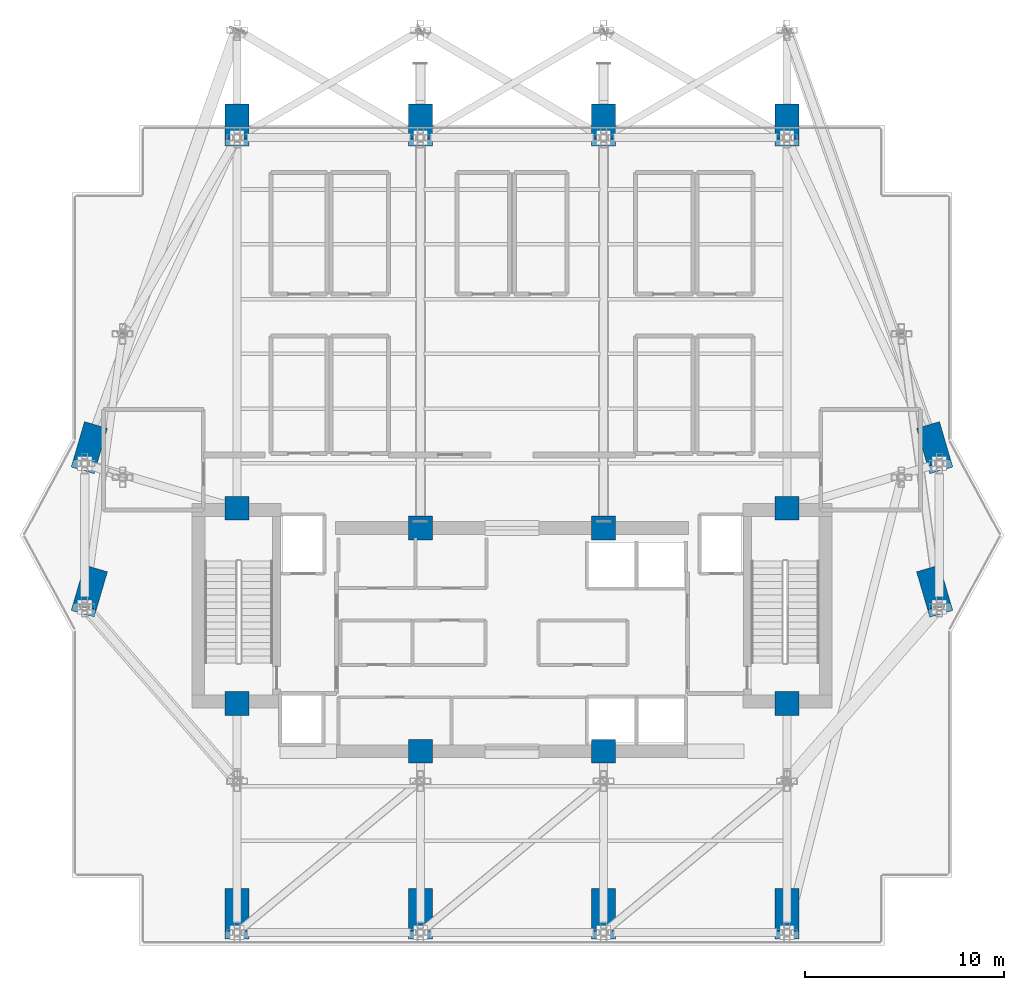
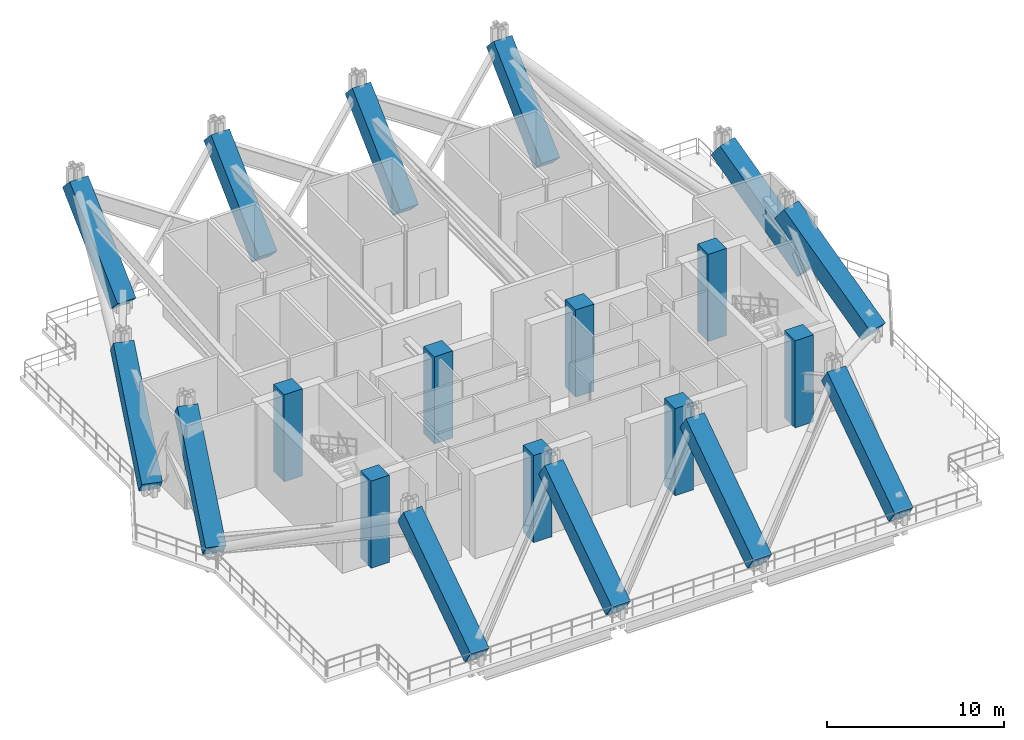
# One storey, part 1 of 18: 20 columns.
"""IFC4 building model written with IfcOpenShell, lengths in metres."""

from ifc_helpers import new_model, si_unit, direction, frame, origin, origin_2d, place, context, subcontext, project, spatial, rectangle, extrude, material, material_profile, profile_set, type_object, element, save


model = new_model("IFC4")

# Units and contexts
model_context = context("Model", 3, precision=1e-05, world=origin(), true_north=direction((0.0, 1.0)))
body_context = subcontext(model_context, "Body", "Model", "MODEL_VIEW")
ifc_project = project(units=[si_unit("LENGTHUNIT", "METRE"), si_unit("AREAUNIT", "SQUARE_METRE"), si_unit("VOLUMEUNIT", "CUBIC_METRE"), si_unit("PLANEANGLEUNIT", "RADIAN"), si_unit("MASSUNIT", "GRAM", prefix="KILO")], contexts=[model_context])

# Site, building, storey
site_placement = place(None, origin())
site = spatial("IfcSite", under=ifc_project, at=site_placement, CompositionType="ELEMENT")
building_placement = place(site_placement, origin())
building = spatial("IfcBuilding", under=site, at=building_placement, Name="Zuhayl Quay Hotel", CompositionType="ELEMENT")
storey_placement = place(building_placement, frame((0.0, 0.0, 233.64990234375)))
storey = spatial("IfcBuildingStorey", under=building, at=storey_placement, Name="L59", CompositionType="ELEMENT", Elevation=233.64990234375)

# Columns
ifc_material = material(Name="Concrete C60/75", Category="concrete")
ifc_material_profile_1 = material_profile(ifc_material, rectangle(XDim=1.199951171875, YDim=1.199951171875, at=origin_2d()), Name="RC1200X1200")
ifc_profile_set_1 = profile_set([ifc_material_profile_1], Name="Concrete C60/75")
column_type_1 = type_object("IfcColumnType", Name="CL_CC2_1200", PredefinedType="COLUMN", material=ifc_profile_set_1)
for number, where, z_axis, x_axis, name in (
    (1, (-13.800048828125, 14.35009765625, 0.0), (0.0, 0.0, 1.0), (1.0, 0.0, 0.0), "L59 Core Column CC_NW"),
    (2, (-4.60009765625, 13.35009765625, 0.0), (0.0, 0.0, 1.0), (1.0, 0.0, 0.0), "L59 Core Column CC_CNW"),
    (3, (4.60009765625, 13.35009765625, 0.0), (0.0, 0.0, 1.0), (1.0, 0.0, 0.0), "L59 Core Column CC_CNE"),
    (4, (13.800048828125, 14.35009765625, 0.0), (0.0, 0.0, 1.0), (1.0, 0.0, 0.0), "L59 Core Column CC_NE"),
    (5, (-13.800048828125, 4.550048828125, 0.0), (0.0, 0.0, 1.0), (1.0, 0.0, 0.0), "L59 Core Column CC_SW"),
    (6, (-4.60009765625, 2.14990234375, 0.0), (0.0, 0.0, 1.0), (1.0, 0.0, 0.0), "L59 Core Column CC_CSW"),
    (7, (4.60009765625, 2.14990234375, 0.0), (0.0, 0.0, 1.0), (1.0, 0.0, 0.0), "L59 Core Column CC_CSE"),
    (8, (13.800048828125, 4.550048828125, 0.0), (0.0, 0.0, 1.0), (1.0, 0.0, 0.0), "L59 Core Column CC_SE"),
):
    element("IfcColumn", number, at=place(storey_placement, frame(where, z_axis=z_axis, x_axis=x_axis)), inside=storey, type_object=column_type_1, Name=name, PredefinedType="COLUMN", context=body_context, shape_type="SweptSolid", body=[
        extrude(rectangle(XDim=1.199951171875, YDim=1.199951171875, at=origin_2d()), origin(), (0.0, 0.0, 1.0), 6.0),
    ])
ifc_material_profile_2 = material_profile(ifc_material, rectangle(XDim=1.199951171875, YDim=1.199951171875, at=origin_2d()), Name="RC1200X1200")
ifc_profile_set_2 = profile_set([ifc_material_profile_2], Name="Concrete C60/75")
column_type_2 = type_object("IfcColumnType", Name="CL_MC3_1200", PredefinedType="COLUMN", material=ifc_profile_set_2)
for number, where, z_axis, x_axis, name in (
    (9, (-13.800048828125, -6.949951171875, 0.43017578125), (0.0, 0.828343340158, 0.560220769711), (-1.0, 0.0, 0.0), "L59 Raked Mega-Column MC_S1"),
    (10, (-4.60009765625, -6.949951171875, 0.43017578125), (0.0, 0.828343340158, 0.560220769711), (-1.0, 0.0, 0.0), "L59 Raked Mega-Column MC_S2"),
    (11, (4.60009765625, -6.949951171875, 0.43017578125), (0.0, 0.828343340158, 0.560220769711), (-1.0, 0.0, 0.0), "L59 Raked Mega-Column MC_S3"),
    (12, (13.800048828125, -6.949951171875, 0.43017578125), (0.0, 0.828343340158, 0.560220769711), (-1.0, 0.0, 0.0), "L59 Raked Mega-Column MC_S4"),
):
    element("IfcColumn", number, at=place(storey_placement, frame(where, z_axis=z_axis, x_axis=x_axis)), inside=storey, type_object=column_type_2, Name=name, PredefinedType="COLUMN", context=body_context, shape_type="SweptSolid", body=[
        extrude(rectangle(XDim=1.199951171875, YDim=1.199951171875, at=origin_2d()), origin(), (0.0, 0.0, 1.0), 9.1748046875),
    ])
for number, where, z_axis, x_axis, name in (
    (13, (-13.800048828125, 32.949951171875, 0.43017578125), (0.0, 0.724345832231, 0.689436810252), (-1.0, 0.0, 0.0), "L59 Raked Mega-Column MC_N1"),
    (14, (-4.60009765625, 32.949951171875, 0.43017578125), (0.0, 0.724345832231, 0.689436810252), (-1.0, 0.0, 0.0), "L59 Raked Mega-Column MC_N2"),
    (15, (4.60009765625, 32.949951171875, 0.43017578125), (0.0, 0.724345832231, 0.689436810252), (-1.0, 0.0, 0.0), "L59 Raked Mega-Column MC_N3"),
    (16, (13.800048828125, 32.949951171875, 0.43017578125), (0.0, 0.724345832231, 0.689436810252), (-1.0, 0.0, 0.0), "L59 Raked Mega-Column MC_N4"),
):
    element("IfcColumn", number, at=place(storey_placement, frame(where, z_axis=z_axis, x_axis=x_axis)), inside=storey, type_object=column_type_2, Name=name, PredefinedType="COLUMN", context=body_context, shape_type="SweptSolid", body=[
        extrude(rectangle(XDim=1.199951171875, YDim=1.199951171875, at=origin_2d()), origin(), (0.0, 0.0, 1.0), 7.455322265625),
    ])
for number, where, z_axis, x_axis, name in (
    (17, (-21.449951171875, 9.39990234375, 0.43017578125), (0.223474431277, 0.764557087935, 0.604575584897), (-0.959838329033, 0.2805537063, 0.0), "L59 Raked Mega-Column MC_W1"),
    (18, (-21.449951171875, 16.60009765625, 0.43017578125), (0.223474431277, 0.764557087935, 0.604575584897), (-0.959838329033, 0.2805537063, 0.0), "L59 Raked Mega-Column MC_W2"),
    (19, (21.449951171875, 9.39990234375, 0.43017578125), (-0.223474431277, 0.764557087935, 0.604575584897), (-0.959838329033, -0.2805537063, 0.0), "L59 Raked Mega-Column MC_E1"),
    (20, (21.449951171875, 16.60009765625, 0.43017578125), (-0.223474431277, 0.764557087935, 0.604575584897), (-0.959838329033, -0.2805537063, 0.0), "L59 Raked Mega-Column MC_E2"),
):
    element("IfcColumn", number, at=place(storey_placement, frame(where, z_axis=z_axis, x_axis=x_axis)), inside=storey, type_object=column_type_2, Name=name, PredefinedType="COLUMN", context=body_context, shape_type="SweptSolid", body=[
        extrude(rectangle(XDim=1.199951171875, YDim=1.199951171875, at=origin_2d()), origin(), (0.0, 0.0, 1.0), 8.501708984375),
    ])

save(model, "model.ifc")
